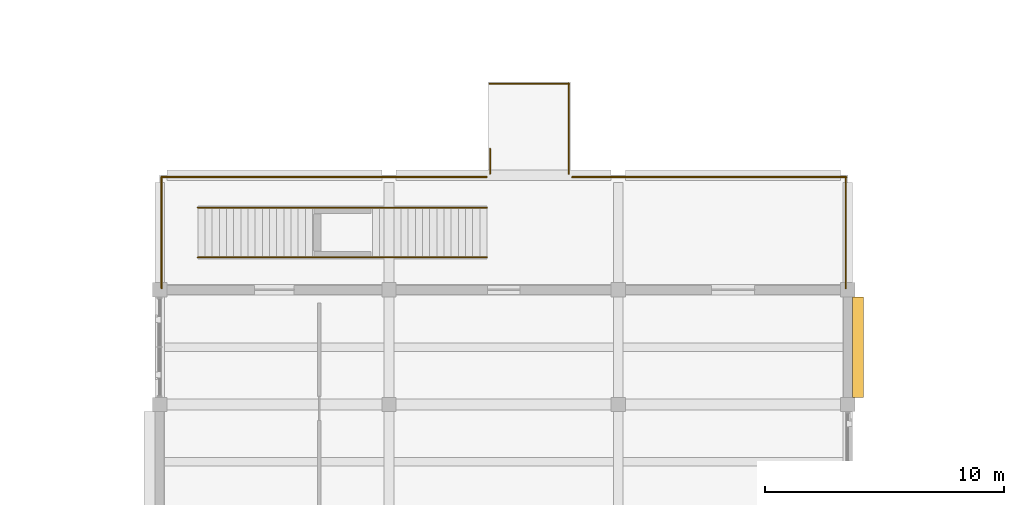
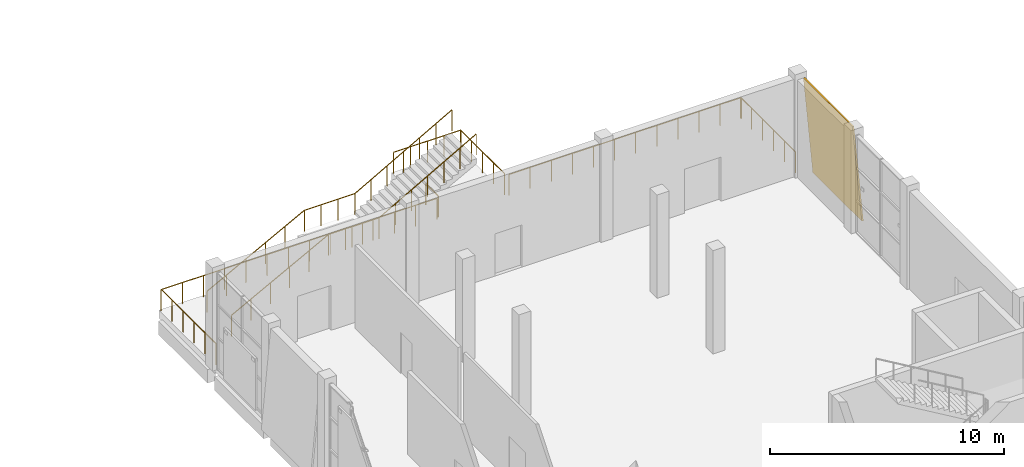
# One storey, part 60 of 72: 9 railings, 1 covering.
"""IFC4 building model written with IfcOpenShell, lengths in metres."""

from ifc_helpers import new_model, si_unit, direction, frame, origin, origin_2d, place, context, subcontext, project, spatial, polyline, circle, outline, extrude, material, layer, layer_set, type_object, element, save


model = new_model("IFC4")

# Units and contexts
model_context = context("Model", 3, precision=1e-05, world=origin(), true_north=direction((0.0, 1.0)))
body_context = subcontext(model_context, "Body", "Model", "MODEL_VIEW")
ifc_project = project(units=[si_unit("LENGTHUNIT", "METRE"), si_unit("AREAUNIT", "SQUARE_METRE"), si_unit("VOLUMEUNIT", "CUBIC_METRE"), si_unit("PLANEANGLEUNIT", "RADIAN"), si_unit("MASSUNIT", "GRAM", prefix="KILO")], contexts=[model_context])

# Site, building, storey
site_placement = place(None, origin())
site = spatial("IfcSite", under=ifc_project, at=site_placement, CompositionType="ELEMENT")
building_placement = place(site_placement, origin())
building = spatial("IfcBuilding", under=site, at=building_placement, Name="Shalvenor Court Art Gallery", CompositionType="ELEMENT")
storey_placement = place(building_placement, frame((0.0, 0.0, 11.39990234375)))
storey = spatial("IfcBuildingStorey", under=building, at=storey_placement, Name="L02", CompositionType="ELEMENT", Elevation=11.39990234375)

# Covering
ifc_material_1 = material(Name="Pale Mediterranean limestone cladding", Category="masonry")
ifc_layer = layer(ifc_material_1, 0.080078125, Name="Pale Mediterranean limestone cladding")
ifc_layer_set = layer_set([ifc_layer], Name="Pale Mediterranean limestone cladding")
covering_type = type_object("IfcCoveringType", Name="CLD-01", PredefinedType="CLADDING", material=ifc_layer_set)
covering_placement = place(storey_placement, frame((125.4541015625, 24.300048828125, 0.0), z_axis=(0.0, 0.0, 1.0), x_axis=(0.0, 1.0, 0.0)))
element("IfcCovering", 1, at=covering_placement, inside=storey, type_object=covering_type, Name="L02 V3 Tapered Limestone Cladding 52", PredefinedType="CLADDING", context=body_context, shape_type="SweptSolid", body=[
    extrude(outline(polyline([(0.0, 0.0), (4.199951171875, 0.0), (4.199951171875, 5.12109375), (0.0, 5.12109375), (0.0, 0.0)])), frame((0.0, 0.0, 0.0), z_axis=(0.0, -0.995884398616, 0.090632580198), x_axis=(1.0, 0.0, 0.0)), (0.0, 0.090632580198, -0.995884398616), 0.080322265625),
])

# Railings
ifc_material_2 = material(Name="Stainless steel and laminated glass balustrade", Category="steel")
railing_type = type_object("IfcRailingType", Name="GR-01", PredefinedType="BALUSTRADE", material=ifc_material_2)
railing_1_placement = place(storey_placement, frame((124.719970703125, 33.5400390625, 0.0)))
element("IfcRailing", 2, at=railing_1_placement, inside=storey, type_object=railing_type, Name="L02 V3 Terrace Balustrade 25", PredefinedType="BALUSTRADE", context=body_context, shape_type="SweptSolid", body=[
    extrude(circle(Radius=0.02392578125, at=origin_2d()), frame((0.0, 0.0, 1.09619140625), z_axis=(0.0, -1.0, 0.0), x_axis=(1.0, 0.0, 0.0)), (0.0, 0.0, 1.0), 4.679931640625),
    extrude(circle(Radius=0.02099609375, at=origin_2d()), origin(), (0.0, 0.0, 1.0), 1.072021484375),
    extrude(circle(Radius=0.02099609375, at=origin_2d()), frame((0.0, -0.93603515625, 0.0)), (0.0, 0.0, 1.0), 1.072021484375),
    extrude(circle(Radius=0.02099609375, at=origin_2d()), frame((0.0, -1.8720703125, 0.0)), (0.0, 0.0, 1.0), 1.072021484375),
    extrude(circle(Radius=0.02099609375, at=origin_2d()), frame((0.0, -2.807861328125, 0.0)), (0.0, 0.0, 1.0), 1.072021484375),
    extrude(circle(Radius=0.02099609375, at=origin_2d()), frame((0.0, -3.743896484375, 0.0)), (0.0, 0.0, 1.0), 1.072021484375),
    extrude(circle(Radius=0.02099609375, at=origin_2d()), frame((0.0, -4.679931640625, 0.0)), (0.0, 0.0, 1.0), 1.072021484375),
])
railing_2_placement = place(storey_placement, frame((96.080078125, 28.860107421875, 0.0)))
element("IfcRailing", 3, at=railing_2_placement, inside=storey, type_object=railing_type, Name="L02 V3 Terrace Balustrade 26", PredefinedType="BALUSTRADE", context=body_context, shape_type="SweptSolid", body=[
    extrude(circle(Radius=0.02392578125, at=origin_2d()), frame((0.0, 0.0, 1.09619140625), z_axis=(0.0, 1.0, 0.0), x_axis=(-1.0, 0.0, 0.0)), (0.0, 0.0, 1.0), 4.679931640625),
    extrude(circle(Radius=0.02099609375, at=origin_2d()), origin(), (0.0, 0.0, 1.0), 1.072021484375),
    extrude(circle(Radius=0.02099609375, at=origin_2d()), frame((0.0, 0.93603515625, 0.0)), (0.0, 0.0, 1.0), 1.072021484375),
    extrude(circle(Radius=0.02099609375, at=origin_2d()), frame((0.0, 1.8720703125, 0.0)), (0.0, 0.0, 1.0), 1.072021484375),
    extrude(circle(Radius=0.02099609375, at=origin_2d()), frame((0.0, 2.807861328125, 0.0)), (0.0, 0.0, 1.0), 1.072021484375),
    extrude(circle(Radius=0.02099609375, at=origin_2d()), frame((0.0, 3.743896484375, 0.0)), (0.0, 0.0, 1.0), 1.072021484375),
    extrude(circle(Radius=0.02099609375, at=origin_2d()), frame((0.0, 4.679931640625, 0.0)), (0.0, 0.0, 1.0), 1.072021484375),
])
railing_3_placement = place(storey_placement, frame((96.06005859375, 33.52001953125, 0.0)))
element("IfcRailing", 4, at=railing_3_placement, inside=storey, type_object=railing_type, Name="L02 V3 Terrace Balustrade 27", PredefinedType="BALUSTRADE", context=body_context, shape_type="SweptSolid", body=[
    extrude(circle(Radius=0.02392578125, at=origin_2d()), frame((0.0, 0.0, 1.09619140625), z_axis=(1.0, 0.0, 0.0), x_axis=(0.0, 1.0, 0.0)), (0.0, 0.0, 1.0), 13.6298828125),
    extrude(circle(Radius=0.02099609375, at=origin_2d()), origin(), (0.0, 0.0, 1.0), 1.072021484375),
    extrude(circle(Radius=0.02099609375, at=origin_2d()), frame((1.04833984375, 0.0, 0.0)), (0.0, 0.0, 1.0), 1.072021484375),
    extrude(circle(Radius=0.02099609375, at=origin_2d()), frame((2.096923828125, 0.0, 0.0)), (0.0, 0.0, 1.0), 1.072021484375),
    extrude(circle(Radius=0.02099609375, at=origin_2d()), frame((3.145263671875, 0.0, 0.0)), (0.0, 0.0, 1.0), 1.072021484375),
    extrude(circle(Radius=0.02099609375, at=origin_2d()), frame((4.19384765625, 0.0, 0.0)), (0.0, 0.0, 1.0), 1.072021484375),
    extrude(circle(Radius=0.02099609375, at=origin_2d()), frame((5.2421875, 0.0, 0.0)), (0.0, 0.0, 1.0), 1.072021484375),
    extrude(circle(Radius=0.02099609375, at=origin_2d()), frame((6.290771484375, 0.0, 0.0)), (0.0, 0.0, 1.0), 1.072021484375),
    extrude(circle(Radius=0.02099609375, at=origin_2d()), frame((7.339111328125, 0.0, 0.0)), (0.0, 0.0, 1.0), 1.072021484375),
    extrude(circle(Radius=0.02099609375, at=origin_2d()), frame((8.3876953125, 0.0, 0.0)), (0.0, 0.0, 1.0), 1.072021484375),
    extrude(circle(Radius=0.02099609375, at=origin_2d()), frame((9.43603515625, 0.0, 0.0)), (0.0, 0.0, 1.0), 1.072021484375),
    extrude(circle(Radius=0.02099609375, at=origin_2d()), frame((10.484619140625, 0.0, 0.0)), (0.0, 0.0, 1.0), 1.072021484375),
    extrude(circle(Radius=0.02099609375, at=origin_2d()), frame((11.532958984375, 0.0, 0.0)), (0.0, 0.0, 1.0), 1.072021484375),
    extrude(circle(Radius=0.02099609375, at=origin_2d()), frame((12.58154296875, 0.0, 0.0)), (0.0, 0.0, 1.0), 1.072021484375),
    extrude(circle(Radius=0.02099609375, at=origin_2d()), frame((13.6298828125, 0.0, 0.0)), (0.0, 0.0, 1.0), 1.072021484375),
])
railing_4_placement = place(storey_placement, frame((109.830078125, 33.659912109375, 0.0)))
element("IfcRailing", 5, at=railing_4_placement, inside=storey, type_object=railing_type, Name="L02 V3 Terrace Balustrade 28", PredefinedType="BALUSTRADE", context=body_context, shape_type="SweptSolid", body=[
    extrude(circle(Radius=0.02392578125, at=origin_2d()), frame((0.0, 0.0, 1.09619140625), z_axis=(0.0, 1.0, 0.0), x_axis=(-1.0, 0.0, 0.0)), (0.0, 0.0, 1.0), 1.0400390625),
    extrude(circle(Radius=0.02099609375, at=origin_2d()), origin(), (0.0, 0.0, 1.0), 1.072021484375),
    extrude(circle(Radius=0.02099609375, at=origin_2d()), frame((0.0, 1.0400390625, 0.0)), (0.0, 0.0, 1.0), 1.072021484375),
])
railing_5_placement = place(storey_placement, frame((109.81005859375, 37.419921875, 0.0)))
element("IfcRailing", 6, at=railing_5_placement, inside=storey, type_object=railing_type, Name="L02 V3 Terrace Balustrade 29", PredefinedType="BALUSTRADE", context=body_context, shape_type="SweptSolid", body=[
    extrude(circle(Radius=0.02392578125, at=origin_2d()), frame((0.0, 0.0, 1.09619140625), z_axis=(1.0, 0.0, 0.0), x_axis=(0.0, 1.0, 0.0)), (0.0, 0.0, 1.0), 3.329833984375),
    extrude(circle(Radius=0.02099609375, at=origin_2d()), origin(), (0.0, 0.0, 1.0), 1.072021484375),
    extrude(circle(Radius=0.02099609375, at=origin_2d()), frame((0.83251953125, 0.0, 0.0)), (0.0, 0.0, 1.0), 1.072021484375),
    extrude(circle(Radius=0.02099609375, at=origin_2d()), frame((1.6650390625, 0.0, 0.0)), (0.0, 0.0, 1.0), 1.072021484375),
    extrude(circle(Radius=0.02099609375, at=origin_2d()), frame((2.497314453125, 0.0, 0.0)), (0.0, 0.0, 1.0), 1.072021484375),
    extrude(circle(Radius=0.02099609375, at=origin_2d()), frame((3.329833984375, 0.0, 0.0)), (0.0, 0.0, 1.0), 1.072021484375),
])
railing_6_placement = place(storey_placement, frame((113.1201171875, 37.43994140625, 0.0)))
element("IfcRailing", 7, at=railing_6_placement, inside=storey, type_object=railing_type, Name="L02 V3 Terrace Balustrade 30", PredefinedType="BALUSTRADE", context=body_context, shape_type="SweptSolid", body=[
    extrude(circle(Radius=0.02392578125, at=origin_2d()), frame((0.0, 0.0, 1.09619140625), z_axis=(0.0, -1.0, 0.0), x_axis=(1.0, 0.0, 0.0)), (0.0, 0.0, 1.0), 3.780029296875),
    extrude(circle(Radius=0.02099609375, at=origin_2d()), origin(), (0.0, 0.0, 1.0), 1.072021484375),
    extrude(circle(Radius=0.02099609375, at=origin_2d()), frame((0.0, -0.945068359375, 0.0)), (0.0, 0.0, 1.0), 1.072021484375),
    extrude(circle(Radius=0.02099609375, at=origin_2d()), frame((0.0, -1.89013671875, 0.0)), (0.0, 0.0, 1.0), 1.072021484375),
    extrude(circle(Radius=0.02099609375, at=origin_2d()), frame((0.0, -2.8349609375, 0.0)), (0.0, 0.0, 1.0), 1.072021484375),
    extrude(circle(Radius=0.02099609375, at=origin_2d()), frame((0.0, -3.780029296875, 0.0)), (0.0, 0.0, 1.0), 1.072021484375),
])
railing_7_placement = place(storey_placement, frame((113.260009765625, 33.52001953125, 0.0)))
element("IfcRailing", 8, at=railing_7_placement, inside=storey, type_object=railing_type, Name="L02 V3 Terrace Balustrade 31", PredefinedType="BALUSTRADE", context=body_context, shape_type="SweptSolid", body=[
    extrude(circle(Radius=0.02392578125, at=origin_2d()), frame((0.0, 0.0, 1.09619140625), z_axis=(1.0, 0.0, 0.0), x_axis=(0.0, 1.0, 0.0)), (0.0, 0.0, 1.0), 11.47998046875),
    extrude(circle(Radius=0.02099609375, at=origin_2d()), origin(), (0.0, 0.0, 1.0), 1.072021484375),
    extrude(circle(Radius=0.02099609375, at=origin_2d()), frame((1.043701171875, 0.0, 0.0)), (0.0, 0.0, 1.0), 1.072021484375),
    extrude(circle(Radius=0.02099609375, at=origin_2d()), frame((2.087158203125, 0.0, 0.0)), (0.0, 0.0, 1.0), 1.072021484375),
    extrude(circle(Radius=0.02099609375, at=origin_2d()), frame((3.130859375, 0.0, 0.0)), (0.0, 0.0, 1.0), 1.072021484375),
    extrude(circle(Radius=0.02099609375, at=origin_2d()), frame((4.174560546875, 0.0, 0.0)), (0.0, 0.0, 1.0), 1.072021484375),
    extrude(circle(Radius=0.02099609375, at=origin_2d()), frame((5.21826171875, 0.0, 0.0)), (0.0, 0.0, 1.0), 1.072021484375),
    extrude(circle(Radius=0.02099609375, at=origin_2d()), frame((6.26171875, 0.0, 0.0)), (0.0, 0.0, 1.0), 1.072021484375),
    extrude(circle(Radius=0.02099609375, at=origin_2d()), frame((7.305419921875, 0.0, 0.0)), (0.0, 0.0, 1.0), 1.072021484375),
    extrude(circle(Radius=0.02099609375, at=origin_2d()), frame((8.34912109375, 0.0, 0.0)), (0.0, 0.0, 1.0), 1.072021484375),
    extrude(circle(Radius=0.02099609375, at=origin_2d()), frame((9.392822265625, 0.0, 0.0)), (0.0, 0.0, 1.0), 1.072021484375),
    extrude(circle(Radius=0.02099609375, at=origin_2d()), frame((10.436279296875, 0.0, 0.0)), (0.0, 0.0, 1.0), 1.072021484375),
    extrude(circle(Radius=0.02099609375, at=origin_2d()), frame((11.47998046875, 0.0, 0.0)), (0.0, 0.0, 1.0), 1.072021484375),
])
railing_8_placement = place(storey_placement, frame((97.60009765625, 30.159912109375, 0.158935546875)))
element("IfcRailing", 9, at=railing_8_placement, inside=storey, type_object=railing_type, Name="L02 ST-T4 Outdoor Stair Balustrade S", PredefinedType="BALUSTRADE", context=body_context, shape_type="SweptSolid", body=[
    extrude(circle(Radius=0.02392578125, at=origin_2d()), frame((0.0, 0.0, 1.09619140625), z_axis=(0.883773701108, 0.0, 0.467914570439), x_axis=(0.0, 1.0, 0.0)), (0.0, 0.0, 1.0), 5.43115234375),
    extrude(circle(Radius=0.02392578125, at=origin_2d()), frame((4.7998046875, 0.0, 3.63720703125), z_axis=(1.0, 0.0, 0.0), x_axis=(0.0, 1.0, 0.0)), (0.0, 0.0, 1.0), 2.5),
    extrude(circle(Radius=0.02392578125, at=origin_2d()), frame((7.2998046875, 0.0, 3.63720703125), z_axis=(0.871581456561, 0.0, 0.490250716042), x_axis=(0.0, 1.0, 0.0)), (0.0, 0.0, 1.0), 5.50732421875),
    extrude(circle(Radius=0.02099609375, at=origin_2d()), origin(), (0.0, 0.0, 1.0), 1.072021484375),
    extrude(circle(Radius=0.02099609375, at=origin_2d()), frame((0.9599609375, 0.0, 0.50830078125)), (0.0, 0.0, 1.0), 1.072021484375),
    extrude(circle(Radius=0.02099609375, at=origin_2d()), frame((1.919921875, 0.0, 1.0166015625)), (0.0, 0.0, 1.0), 1.072021484375),
    extrude(circle(Radius=0.02099609375, at=origin_2d()), frame((2.8798828125, 0.0, 1.524658203125)), (0.0, 0.0, 1.0), 1.072021484375),
    extrude(circle(Radius=0.02099609375, at=origin_2d()), frame((3.83984375, 0.0, 2.032958984375)), (0.0, 0.0, 1.0), 1.072021484375),
    extrude(circle(Radius=0.02099609375, at=origin_2d()), frame((4.7998046875, 0.0, 2.541259765625)), (0.0, 0.0, 1.0), 1.072021484375),
    extrude(circle(Radius=0.02099609375, at=origin_2d()), frame((5.633056640625, 0.0, 2.541259765625)), (0.0, 0.0, 1.0), 1.072021484375),
    extrude(circle(Radius=0.02099609375, at=origin_2d()), frame((6.466552734375, 0.0, 2.541259765625)), (0.0, 0.0, 1.0), 1.072021484375),
    extrude(circle(Radius=0.02099609375, at=origin_2d()), frame((7.2998046875, 0.0, 2.541259765625)), (0.0, 0.0, 1.0), 1.072021484375),
    extrude(circle(Radius=0.02099609375, at=origin_2d()), frame((8.099853515625, 0.0, 2.9912109375)), (0.0, 0.0, 1.0), 1.072021484375),
    extrude(circle(Radius=0.02099609375, at=origin_2d()), frame((8.89990234375, 0.0, 3.441162109375)), (0.0, 0.0, 1.0), 1.072021484375),
    extrude(circle(Radius=0.02099609375, at=origin_2d()), frame((9.69970703125, 0.0, 3.89111328125)), (0.0, 0.0, 1.0), 1.072021484375),
    extrude(circle(Radius=0.02099609375, at=origin_2d()), frame((10.499755859375, 0.0, 4.34130859375)), (0.0, 0.0, 1.0), 1.072021484375),
    extrude(circle(Radius=0.02099609375, at=origin_2d()), frame((11.2998046875, 0.0, 4.791259765625)), (0.0, 0.0, 1.0), 1.072021484375),
    extrude(circle(Radius=0.02099609375, at=origin_2d()), frame((12.099853515625, 0.0, 5.2412109375)), (0.0, 0.0, 1.0), 1.072021484375),
])
railing_9_placement = place(storey_placement, frame((97.60009765625, 32.239990234375, 0.158935546875)))
element("IfcRailing", 10, at=railing_9_placement, inside=storey, type_object=railing_type, Name="L02 ST-T4 Outdoor Stair Balustrade N", PredefinedType="BALUSTRADE", context=body_context, shape_type="SweptSolid", body=[
    extrude(circle(Radius=0.02392578125, at=origin_2d()), frame((0.0, 0.0, 1.09619140625), z_axis=(0.883773701108, 0.0, 0.467914570439), x_axis=(0.0, 1.0, 0.0)), (0.0, 0.0, 1.0), 5.43115234375),
    extrude(circle(Radius=0.02392578125, at=origin_2d()), frame((4.7998046875, 0.0, 3.63720703125), z_axis=(1.0, 0.0, 0.0), x_axis=(0.0, 1.0, 0.0)), (0.0, 0.0, 1.0), 2.5),
    extrude(circle(Radius=0.02392578125, at=origin_2d()), frame((7.2998046875, 0.0, 3.63720703125), z_axis=(0.871581456561, 0.0, 0.490250716042), x_axis=(0.0, 1.0, 0.0)), (0.0, 0.0, 1.0), 5.50732421875),
    extrude(circle(Radius=0.02099609375, at=origin_2d()), origin(), (0.0, 0.0, 1.0), 1.072021484375),
    extrude(circle(Radius=0.02099609375, at=origin_2d()), frame((0.9599609375, 0.0, 0.50830078125)), (0.0, 0.0, 1.0), 1.072021484375),
    extrude(circle(Radius=0.02099609375, at=origin_2d()), frame((1.919921875, 0.0, 1.0166015625)), (0.0, 0.0, 1.0), 1.072021484375),
    extrude(circle(Radius=0.02099609375, at=origin_2d()), frame((2.8798828125, 0.0, 1.524658203125)), (0.0, 0.0, 1.0), 1.072021484375),
    extrude(circle(Radius=0.02099609375, at=origin_2d()), frame((3.83984375, 0.0, 2.032958984375)), (0.0, 0.0, 1.0), 1.072021484375),
    extrude(circle(Radius=0.02099609375, at=origin_2d()), frame((4.7998046875, 0.0, 2.541259765625)), (0.0, 0.0, 1.0), 1.072021484375),
    extrude(circle(Radius=0.02099609375, at=origin_2d()), frame((5.633056640625, 0.0, 2.541259765625)), (0.0, 0.0, 1.0), 1.072021484375),
    extrude(circle(Radius=0.02099609375, at=origin_2d()), frame((6.466552734375, 0.0, 2.541259765625)), (0.0, 0.0, 1.0), 1.072021484375),
    extrude(circle(Radius=0.02099609375, at=origin_2d()), frame((7.2998046875, 0.0, 2.541259765625)), (0.0, 0.0, 1.0), 1.072021484375),
    extrude(circle(Radius=0.02099609375, at=origin_2d()), frame((8.099853515625, 0.0, 2.9912109375)), (0.0, 0.0, 1.0), 1.072021484375),
    extrude(circle(Radius=0.02099609375, at=origin_2d()), frame((8.89990234375, 0.0, 3.441162109375)), (0.0, 0.0, 1.0), 1.072021484375),
    extrude(circle(Radius=0.02099609375, at=origin_2d()), frame((9.69970703125, 0.0, 3.89111328125)), (0.0, 0.0, 1.0), 1.072021484375),
    extrude(circle(Radius=0.02099609375, at=origin_2d()), frame((10.499755859375, 0.0, 4.34130859375)), (0.0, 0.0, 1.0), 1.072021484375),
    extrude(circle(Radius=0.02099609375, at=origin_2d()), frame((11.2998046875, 0.0, 4.791259765625)), (0.0, 0.0, 1.0), 1.072021484375),
    extrude(circle(Radius=0.02099609375, at=origin_2d()), frame((12.099853515625, 0.0, 5.2412109375)), (0.0, 0.0, 1.0), 1.072021484375),
])

save(model, "model.ifc")
